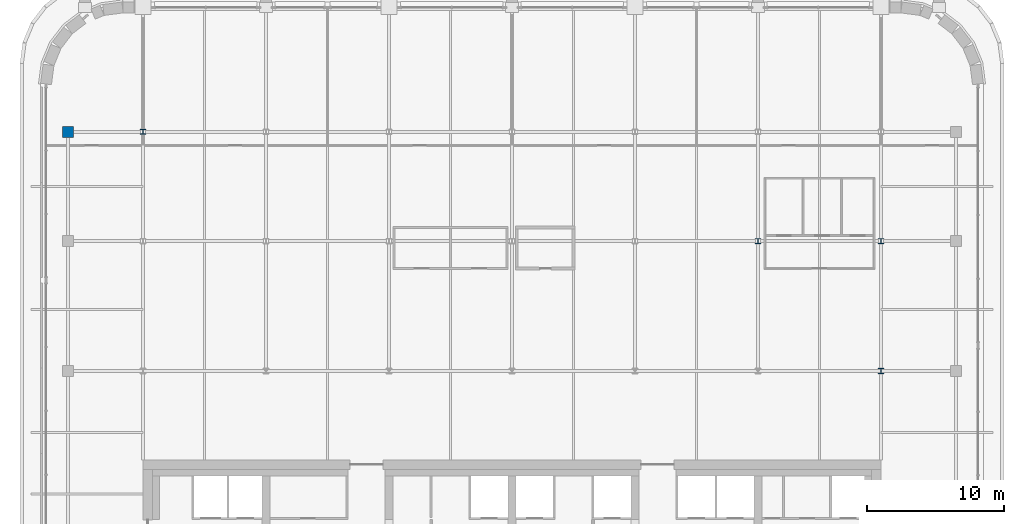
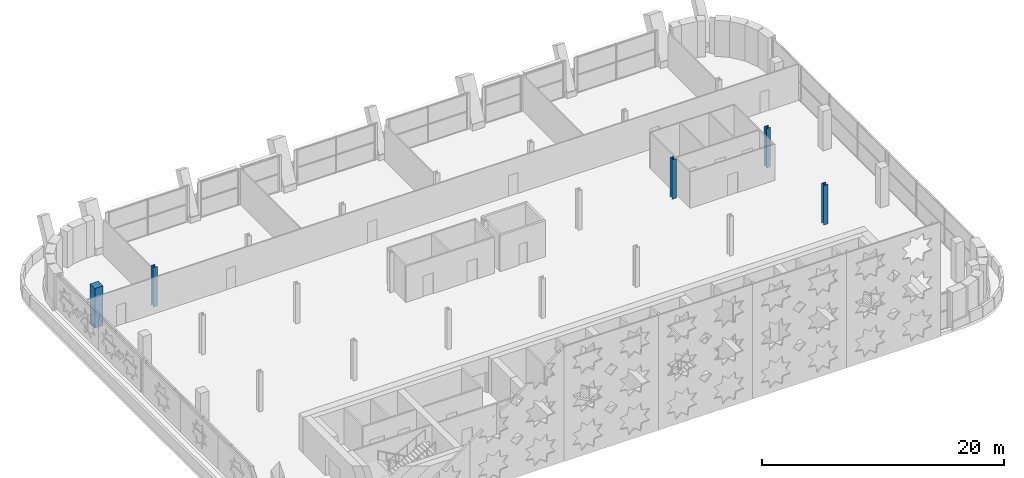
# One storey, part 2 of 25: 5 columns.
"""IFC4 building model written with IfcOpenShell, lengths in metres."""

import ifcopenshell
import ifcopenshell.guid

model = None  # the IFC model being written
_history = None  # IfcOwnerHistory: only IFC2X3 demands one
_inside = {}  # id of a spatial element -> (the spatial element, [elements in it])
_under = {}  # id of a project, library or spatial element -> (it, [spatial elements below it])
_declared = {}  # id of a project -> (the project, [libraries it declares])
_typed = {}  # id of a type object -> (the type object, [elements of that type])
_made_of = {}  # id of a material, layer set ... -> (it, [elements and type objects made of it])


def new_model(schema):
    """Start an empty IFC model of exactly this schema.

    Asked for "IFC4X3", IfcOpenShell would pick the latest addendum, in which some entities
    have other attributes; the version numbers below select the first issue.
    IFC2X3 requires an IfcOwnerHistory on every rooted entity: one is made here for all.
    """
    global model, _history
    if schema == "IFC4X3":
        model = ifcopenshell.file(schema_version=(4, 3, 0, 0))
    else:
        model = ifcopenshell.file(schema=schema)
    _inside.clear()
    _under.clear()
    _declared.clear()
    _typed.clear()
    _made_of.clear()
    _history = None
    if model.schema == "IFC2X3":
        org = make("IfcOrganization", Name="unknown")
        user = make(
            "IfcPersonAndOrganization",
            ThePerson=make("IfcPerson", FamilyName="unknown"),
            TheOrganization=org,
        )
        app = make(
            "IfcApplication",
            ApplicationDeveloper=org,
            Version="unknown",
            ApplicationFullName="unknown",
            ApplicationIdentifier="unknown",
        )
        _history = make(
            "IfcOwnerHistory",
            OwningUser=user,
            OwningApplication=app,
            ChangeAction="ADDED",
            CreationDate=0,
        )
    return model


def make(cls, **values):
    """One entity of the class cls with the attributes given. An attribute that is None is left unset."""
    return model.create_entity(
        cls, **{name: value for name, value in values.items() if value is not None}
    )


def rooted(cls, **values):
    """An entity with a GlobalId (a new one), such as an element, a storey or a relation."""
    return make(cls, GlobalId=ifcopenshell.guid.new(), OwnerHistory=_history, **values)


def si_unit(unit_type, name, prefix=None):
    """IfcSIUnit, for example si_unit("LENGTHUNIT", "METRE", prefix="MILLI")."""
    return make("IfcSIUnit", UnitType=unit_type, Prefix=prefix, Name=name)


def assignment(units):
    """IfcUnitAssignment: the units of a project."""
    return None if units is None else make("IfcUnitAssignment", Units=units)


def point(xyz):
    """IfcCartesianPoint."""
    return None if xyz is None else make("IfcCartesianPoint", Coordinates=xyz)


def direction(xyz):
    """IfcDirection."""
    return None if xyz is None else make("IfcDirection", DirectionRatios=xyz)


def frame(location, z_axis=None, x_axis=None):
    """IfcAxis2Placement3D, a coordinate frame: its origin and axes. An axis left out is left unset."""
    return make(
        "IfcAxis2Placement3D",
        Location=point(location),
        Axis=direction(z_axis),
        RefDirection=direction(x_axis),
    )


def frame_2d(location, x_axis=None):
    """IfcAxis2Placement2D, a coordinate frame in the plane: its origin and x axis."""
    return make(
        "IfcAxis2Placement2D", Location=point(location), RefDirection=direction(x_axis)
    )


def origin():
    """The frame at (0, 0, 0) with its axes left unset."""
    return frame((0.0, 0.0, 0.0))


def origin_2d():
    """The frame at (0, 0) in the plane with its x axis left unset."""
    return frame_2d((0.0, 0.0))


def place(relative_to, where):
    """IfcLocalPlacement: puts the frame where relative to a parent placement (None: the world)."""
    return make(
        "IfcLocalPlacement", PlacementRelTo=relative_to, RelativePlacement=where
    )


def context(
    kind, dimensions, precision=None, world=None, true_north=None, identifier=None
):
    """IfcGeometricRepresentationContext, for example the 3D "Model" context."""
    return make(
        "IfcGeometricRepresentationContext",
        ContextIdentifier=identifier,
        ContextType=kind,
        CoordinateSpaceDimension=dimensions,
        Precision=precision,
        WorldCoordinateSystem=world,
        TrueNorth=true_north,
    )


def subcontext(parent, identifier, kind, view, scale=None):
    """IfcGeometricRepresentationSubContext, for example "Body" below "Model"."""
    return make(
        "IfcGeometricRepresentationSubContext",
        ContextIdentifier=identifier,
        ContextType=kind,
        ParentContext=parent,
        TargetScale=scale,
        TargetView=view,
    )


def project(units=None, contexts=None):
    """IfcProject with its units and contexts."""
    return rooted(
        "IfcProject",
        Name="project",
        RepresentationContexts=contexts,
        UnitsInContext=assignment(units),
    )


def spatial(cls, under=None, at=None, **own):
    """A site, building, storey or space (cls), placed at a placement, below another one or the project."""
    s = rooted(cls, ObjectPlacement=at, **own)
    if under is not None:
        _under.setdefault(under.id(), (under, []))[1].append(s)
    return s


def profile(cls, at=None, kind="AREA", **sizes):
    """A parametric profile (cls). Its sizes go by their IFC names, for example OverallWidth=200.0."""
    return make(cls, ProfileType=kind, Position=at, **sizes)


def rectangle(**sizes):
    """IfcRectangleProfileDef."""
    return profile("IfcRectangleProfileDef", **sizes)


def i_section(**sizes):
    """IfcIShapeProfileDef."""
    return profile("IfcIShapeProfileDef", **sizes)


def extrude(swept, where, along, depth):
    """IfcExtrudedAreaSolid: the profile swept, set in the frame where, extruded along a direction by depth."""
    return make(
        "IfcExtrudedAreaSolid",
        SweptArea=swept,
        Position=where,
        ExtrudedDirection=direction(along),
        Depth=depth,
    )


def shape(context_of_items, identifier, shape_type, items):
    """IfcShapeRepresentation: the items that make up one representation, for example the "Body"."""
    return make(
        "IfcShapeRepresentation",
        ContextOfItems=context_of_items,
        RepresentationIdentifier=identifier,
        RepresentationType=shape_type,
        Items=items,
    )


def material(Name=None, Category=None):
    """IfcMaterial."""
    return make("IfcMaterial", Name=Name, Category=Category)


def material_profile(
    of_material, cross_section, Name=None, Category=None, Priority=None
):
    """IfcMaterialProfile: a cross section and its material."""
    return make(
        "IfcMaterialProfile",
        Name=Name,
        Material=of_material,
        Profile=cross_section,
        Priority=Priority,
        Category=Category,
    )


def profile_set(profiles, Name=None, composite=None):
    """IfcMaterialProfileSet."""
    return make(
        "IfcMaterialProfileSet",
        Name=Name,
        MaterialProfiles=profiles,
        CompositeProfile=composite,
    )


def made_of(thing, what):
    """Note that an element or type object is made of a material, layer set ...; save() writes the relation."""
    if what is not None:
        _made_of.setdefault(what.id(), (what, []))[1].append(thing)
    return thing


def type_object(cls, material=None, **own):
    """A type object (cls), such as IfcWallType, which elements share."""
    return made_of(rooted(cls, **own), material)


def element(
    cls,
    number,
    at=None,
    inside=None,
    cuts=None,
    type_object=None,
    material=None,
    context=None,
    identifier="Body",
    shape_type=None,
    held_by="IfcProductDefinitionShape",
    body=None,
    shapes=None,
    **own,
):
    """One element of the class cls, such as IfcWall. Its Tag is "e" and its number.

    at: its placement. inside: the storey or other place that contains it. cuts: it is an
    opening in that element (IfcRelVoidsElement). A single representation is given by context,
    identifier, shape_type and body (its items); several are given by shapes. held_by: the class
    of the entity that holds the representations. save() writes the other relations.
    """
    e = rooted(cls, Tag="e%d" % number, ObjectPlacement=at, **own)
    if body is not None:
        shapes = [shape(context, identifier, shape_type, body)]
    if shapes is not None:
        e.Representation = make(held_by, Representations=shapes)
    if inside is not None:
        _inside.setdefault(inside.id(), (inside, []))[1].append(e)
    if cuts is not None:
        rooted(
            "IfcRelVoidsElement", RelatingBuildingElement=cuts, RelatedOpeningElement=e
        )
    if type_object is not None:
        _typed.setdefault(type_object.id(), (type_object, []))[1].append(e)
    return made_of(e, material)


def aggregate(whole, parts):
    """IfcRelAggregates: a whole, such as a stair, and the parts it consists of."""
    return rooted("IfcRelAggregates", RelatingObject=whole, RelatedObjects=parts)


def save(model, path):
    """Write the relations noted so far, then the file.

    IfcRelAggregates (storeys below a building ...), IfcRelContainedInSpatialStructure (elements
    in a storey), IfcRelDefinesByType, IfcRelAssociatesMaterial and IfcRelDeclares: one each for
    every whole, place, type object, material and project.
    """
    for whole, parts in _under.values():
        aggregate(whole, parts)
    for where, things in _inside.values():
        rooted(
            "IfcRelContainedInSpatialStructure",
            RelatedElements=things,
            RelatingStructure=where,
        )
    for kind, things in _typed.values():
        rooted("IfcRelDefinesByType", RelatedObjects=things, RelatingType=kind)
    for what, things in _made_of.values():
        rooted("IfcRelAssociatesMaterial", RelatedObjects=things, RelatingMaterial=what)
    for by, libraries in _declared.values():
        rooted("IfcRelDeclares", RelatingContext=by, RelatedDefinitions=libraries)
    model.write(path)


model = new_model("IFC4")

# Units and contexts
model_context = context("Model", 3, precision=1e-05, world=origin(), true_north=direction((0.0, 1.0)))
body_context = subcontext(model_context, "Body", "Model", "MODEL_VIEW")
ifc_project = project(units=[si_unit("LENGTHUNIT", "METRE"), si_unit("AREAUNIT", "SQUARE_METRE"), si_unit("VOLUMEUNIT", "CUBIC_METRE"), si_unit("PLANEANGLEUNIT", "RADIAN"), si_unit("MASSUNIT", "GRAM", prefix="KILO")], contexts=[model_context])

# Site, building, storey
site_placement = place(None, origin())
site = spatial("IfcSite", under=ifc_project, at=site_placement, CompositionType="ELEMENT")
building_placement = place(site_placement, origin())
building = spatial("IfcBuilding", under=site, at=building_placement, Name="Zellij Exchange Tower", CompositionType="ELEMENT")
storey_placement = place(building_placement, frame((0.0, 0.0, 264.5)))
storey = spatial("IfcBuildingStorey", under=building, at=storey_placement, Name="L62", CompositionType="ELEMENT", Elevation=264.5)

# Columns
ifc_material_1 = material(Name="Concrete C50/60", Category="concrete")
ifc_material_profile_1 = material_profile(ifc_material_1, rectangle(XDim=0.800048828125, YDim=0.800048828125, at=origin_2d()), Name="STR-COLUMN RC800x800 C50/60")
ifc_profile_set_1 = profile_set([ifc_material_profile_1], Name="Concrete C50/60")
column_type_1 = type_object("IfcColumnType", Name="STR-COLUMN RC800x800 C50/60", PredefinedType="COLUMN", material=ifc_profile_set_1)
column_placement = place(storey_placement, frame((-32.5, 22.0, 0.0), z_axis=(0.0, 0.0, 1.0), x_axis=(1.0, 0.0, 0.0)))
element("IfcColumn", 1, at=column_placement, inside=storey, type_object=column_type_1, Name="C15", PredefinedType="COLUMN", context=body_context, shape_type="SweptSolid", body=[
    extrude(rectangle(XDim=0.800048828125, YDim=0.800048828125, at=origin_2d()), origin(), (0.0, 0.0, 1.0), 4.0),
])
ifc_material_2 = material(Name="Structural steel ASTM A992 Gr 50", Category="steel")
ifc_material_profile_2 = material_profile(ifc_material_2, i_section(OverallWidth=0.398681640625, OverallDepth=0.385986328125, WebThickness=0.02099609375, FlangeThickness=0.033203125, at=origin_2d()), Name="W14x176")
ifc_profile_set_2 = profile_set([ifc_material_profile_2], Name="Structural steel ASTM A992 Gr 50")
column_type_2 = type_object("IfcColumnType", Name="STR-COLUMN W14x176", PredefinedType="COLUMN", material=ifc_profile_set_2)
for number, where, z_axis, x_axis, name in (
    (2, (27.0, 4.5, 0.0), (0.0, 0.0, 1.0), (1.0, 0.0, 0.0), "C2"),
    (3, (18.0, 14.0, 0.0), (0.0, 0.0, 1.0), (1.0, 0.0, 0.0), "C2"),
    (4, (27.0, 14.0, 0.0), (0.0, 0.0, 1.0), (1.0, 0.0, 0.0), "C2"),
    (5, (-27.0, 22.0, 0.0), (0.0, 0.0, 1.0), (1.0, 0.0, 0.0), "C2"),
):
    element("IfcColumn", number, at=place(storey_placement, frame(where, z_axis=z_axis, x_axis=x_axis)), inside=storey, type_object=column_type_2, Name=name, PredefinedType="COLUMN", context=body_context, shape_type="SweptSolid", body=[
        extrude(i_section(OverallWidth=0.398681640625, OverallDepth=0.385986328125, WebThickness=0.02099609375, FlangeThickness=0.033203125, at=origin_2d()), origin(), (0.0, 0.0, 1.0), 4.0),
    ])

save(model, "model.ifc")
